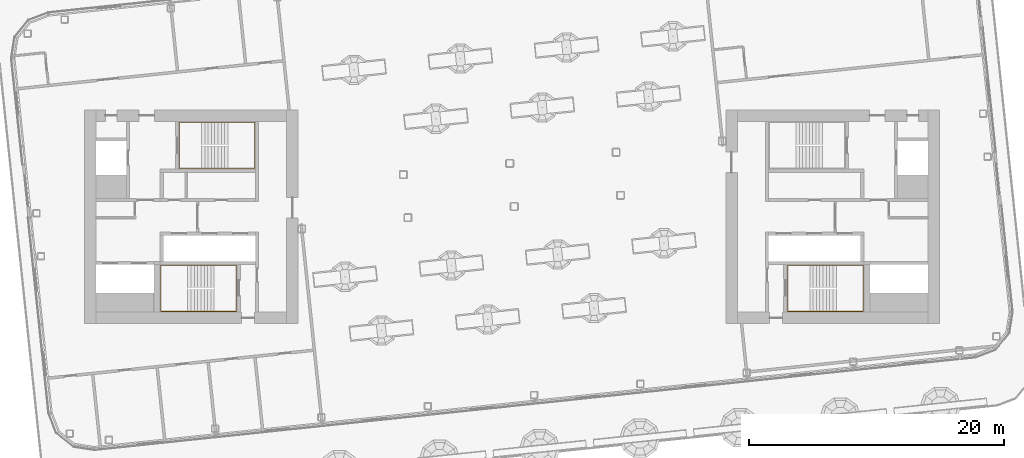
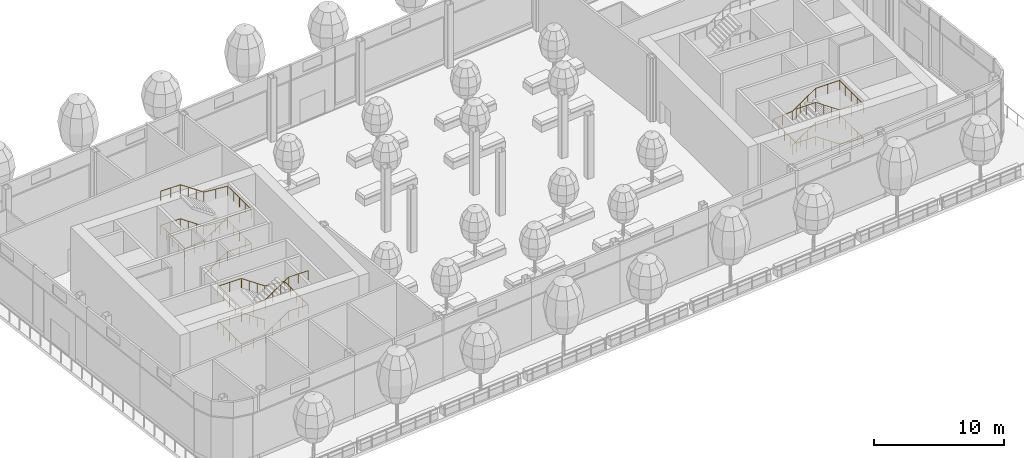
# One storey, part 32 of 42: 3 railings.
"""IFC4 building model written with IfcOpenShell, lengths in metres."""

from ifc_helpers import new_model, si_unit, direction, frame, origin, origin_2d, place, context, subcontext, project, spatial, circle, extrude, material, type_object, element, save


model = new_model("IFC4")

# Units and contexts
model_context = context("Model", 3, precision=1e-05, world=origin(), true_north=direction((0.0, 1.0)))
body_context = subcontext(model_context, "Body", "Model", "MODEL_VIEW")
ifc_project = project(units=[si_unit("LENGTHUNIT", "METRE"), si_unit("AREAUNIT", "SQUARE_METRE"), si_unit("VOLUMEUNIT", "CUBIC_METRE"), si_unit("PLANEANGLEUNIT", "RADIAN"), si_unit("MASSUNIT", "GRAM", prefix="KILO")], contexts=[model_context])

# Site, building, storey
site_placement = place(None, origin())
site = spatial("IfcSite", under=ifc_project, at=site_placement, CompositionType="ELEMENT")
building_placement = place(site_placement, origin())
building = spatial("IfcBuilding", under=site, at=building_placement, Name="Hakoniwa Tower and Hamabe Station Hall", CompositionType="ELEMENT")
storey_placement = place(building_placement, frame((0.0, 0.0, 232.60009765625)))
storey = spatial("IfcBuildingStorey", under=building, at=storey_placement, Name="L66", CompositionType="ELEMENT", Elevation=232.60009765625)

# Railings
ifc_material = material(Name="Stainless steel SUS304", Category="steel")
railing_type = type_object("IfcRailingType", Name="STAIR HANDRAIL 900", PredefinedType="HANDRAIL", material=ifc_material)
railing_1_placement = place(storey_placement, frame((-24.39990234375, 3.81005859375, 0.177734375)))
element("IfcRailing", 1, at=railing_1_placement, inside=storey, type_object=railing_type, Name="Handrail ST-1 L66 1", PredefinedType="HANDRAIL", context=body_context, shape_type="SweptSolid", body=[
    extrude(circle(Radius=0.02392578125, at=origin_2d()), frame((0.0, 0.0, 0.8759765625), z_axis=(0.825478349766, 0.0, 0.564433781827), x_axis=(0.0, 1.0, 0.0)), (0.0, 0.0, 1.0), 2.51953125),
    extrude(circle(Radius=0.02392578125, at=origin_2d()), frame((2.079833984375, 0.0, 2.2978515625), z_axis=(1.0, 0.0, 0.0), x_axis=(0.0, 1.0, 0.0)), (0.0, 0.0, 1.0), 2.110107421875),
    extrude(circle(Radius=0.02392578125, at=origin_2d()), frame((4.18994140625, 0.0, 2.2978515625), z_axis=(0.0, 1.0, 0.0), x_axis=(-1.0, 0.0, 0.0)), (0.0, 0.0, 1.0), 3.6298828125),
    extrude(circle(Radius=0.02392578125, at=origin_2d()), frame((4.18994140625, 3.6298828125, 2.2978515625), z_axis=(-0.996471417081, 0.0, 0.083932800143), x_axis=(0.0, -1.0, 0.0)), (0.0, 0.0, 1.0), 2.11767578125),
    extrude(circle(Radius=0.02392578125, at=origin_2d()), frame((2.079833984375, 3.6298828125, 2.4755859375), z_axis=(-0.825433201882, 0.0, 0.564499804456), x_axis=(0.0, -1.0, 0.0)), (0.0, 0.0, 1.0), 2.519775390625),
    extrude(circle(Radius=0.02392578125, at=origin_2d()), frame((0.0, 3.6298828125, 3.89794921875), z_axis=(-1.0, 0.0, 0.0), x_axis=(0.0, -1.0, 0.0)), (0.0, 0.0, 1.0), 1.739990234375),
    extrude(circle(Radius=0.02392578125, at=origin_2d()), frame((-1.739990234375, 3.6298828125, 3.89794921875), z_axis=(0.0, -1.0, 0.0), x_axis=(1.0, 0.0, 0.0)), (0.0, 0.0, 1.0), 3.6298828125),
    extrude(circle(Radius=0.02392578125, at=origin_2d()), frame((-1.739990234375, 0.0, 3.89794921875), z_axis=(0.994823492686, 0.0, 0.10161800234), x_axis=(0.0, 1.0, 0.0)), (0.0, 0.0, 1.0), 1.7490234375),
    extrude(circle(Radius=0.02392578125, at=origin_2d()), frame((0.0, 0.0, 4.07568359375), z_axis=(0.825478349766, 0.0, 0.564433781827), x_axis=(0.0, 1.0, 0.0)), (0.0, 0.0, 1.0), 2.51953125),
    extrude(circle(Radius=0.02392578125, at=origin_2d()), frame((2.079833984375, 0.0, 5.498046875), z_axis=(1.0, 0.0, 0.0), x_axis=(0.0, 1.0, 0.0)), (0.0, 0.0, 1.0), 2.110107421875),
    extrude(circle(Radius=0.02392578125, at=origin_2d()), frame((4.18994140625, 0.0, 5.498046875), z_axis=(0.0, 1.0, 0.0), x_axis=(-1.0, 0.0, 0.0)), (0.0, 0.0, 1.0), 3.6298828125),
    extrude(circle(Radius=0.02392578125, at=origin_2d()), frame((4.18994140625, 3.6298828125, 5.498046875), z_axis=(-0.996461767938, 0.0, 0.084047278587), x_axis=(0.0, -1.0, 0.0)), (0.0, 0.0, 1.0), 2.11767578125),
    extrude(circle(Radius=0.02392578125, at=origin_2d()), frame((2.079833984375, 3.6298828125, 5.67578125), z_axis=(-0.825478349766, 0.0, 0.564433781827), x_axis=(0.0, -1.0, 0.0)), (0.0, 0.0, 1.0), 2.51953125),
    extrude(circle(Radius=0.02392578125, at=origin_2d()), frame((0.0, 3.6298828125, 7.09814453125), z_axis=(-1.0, 0.0, 0.0), x_axis=(0.0, -1.0, 0.0)), (0.0, 0.0, 1.0), 1.739990234375),
    extrude(circle(Radius=0.02099609375, at=origin_2d()), origin(), (0.0, 0.0, 1.0), 0.851806640625),
    extrude(circle(Radius=0.02099609375, at=origin_2d()), frame((0.693359375, 0.0, 0.47412109375)), (0.0, 0.0, 1.0), 0.851806640625),
    extrude(circle(Radius=0.02099609375, at=origin_2d()), frame((1.386474609375, 0.0, 0.947998046875)), (0.0, 0.0, 1.0), 0.851806640625),
    extrude(circle(Radius=0.02099609375, at=origin_2d()), frame((2.079833984375, 0.0, 1.422119140625)), (0.0, 0.0, 1.0), 0.851806640625),
    extrude(circle(Radius=0.02099609375, at=origin_2d()), frame((3.134765625, 0.0, 1.422119140625)), (0.0, 0.0, 1.0), 0.851806640625),
    extrude(circle(Radius=0.02099609375, at=origin_2d()), frame((4.18994140625, 0.0, 1.422119140625)), (0.0, 0.0, 1.0), 0.851806640625),
    extrude(circle(Radius=0.02099609375, at=origin_2d()), frame((4.18994140625, 0.907470703125, 1.422119140625)), (0.0, 0.0, 1.0), 0.851806640625),
    extrude(circle(Radius=0.02099609375, at=origin_2d()), frame((4.18994140625, 1.81494140625, 1.422119140625)), (0.0, 0.0, 1.0), 0.851806640625),
    extrude(circle(Radius=0.02099609375, at=origin_2d()), frame((4.18994140625, 2.722412109375, 1.422119140625)), (0.0, 0.0, 1.0), 0.851806640625),
    extrude(circle(Radius=0.02099609375, at=origin_2d()), frame((4.18994140625, 3.6298828125, 1.422119140625)), (0.0, 0.0, 1.0), 0.851806640625),
    extrude(circle(Radius=0.02099609375, at=origin_2d()), frame((3.134765625, 3.6298828125, 1.510986328125)), (0.0, 0.0, 1.0), 0.851806640625),
    extrude(circle(Radius=0.02099609375, at=origin_2d()), frame((2.079833984375, 3.6298828125, 1.599853515625)), (0.0, 0.0, 1.0), 0.851806640625),
    extrude(circle(Radius=0.02099609375, at=origin_2d()), frame((1.386474609375, 3.6298828125, 2.073974609375)), (0.0, 0.0, 1.0), 0.851806640625),
    extrude(circle(Radius=0.02099609375, at=origin_2d()), frame((0.693359375, 3.6298828125, 2.548095703125)), (0.0, 0.0, 1.0), 0.851806640625),
    extrude(circle(Radius=0.02099609375, at=origin_2d()), frame((0.0, 3.6298828125, 3.022216796875)), (0.0, 0.0, 1.0), 0.851806640625),
    extrude(circle(Radius=0.02099609375, at=origin_2d()), frame((-0.8701171875, 3.6298828125, 3.022216796875)), (0.0, 0.0, 1.0), 0.851806640625),
    extrude(circle(Radius=0.02099609375, at=origin_2d()), frame((-1.739990234375, 3.6298828125, 3.022216796875)), (0.0, 0.0, 1.0), 0.851806640625),
    extrude(circle(Radius=0.02099609375, at=origin_2d()), frame((-1.739990234375, 2.722412109375, 3.022216796875)), (0.0, 0.0, 1.0), 0.851806640625),
    extrude(circle(Radius=0.02099609375, at=origin_2d()), frame((-1.739990234375, 1.81494140625, 3.022216796875)), (0.0, 0.0, 1.0), 0.851806640625),
    extrude(circle(Radius=0.02099609375, at=origin_2d()), frame((-1.739990234375, 0.907470703125, 3.022216796875)), (0.0, 0.0, 1.0), 0.851806640625),
    extrude(circle(Radius=0.02099609375, at=origin_2d()), frame((-1.739990234375, 0.0, 3.022216796875)), (0.0, 0.0, 1.0), 0.851806640625),
    extrude(circle(Radius=0.02099609375, at=origin_2d()), frame((-0.8701171875, 0.0, 3.111083984375)), (0.0, 0.0, 1.0), 0.851806640625),
    extrude(circle(Radius=0.02099609375, at=origin_2d()), frame((0.0, 0.0, 3.199951171875)), (0.0, 0.0, 1.0), 0.851806640625),
    extrude(circle(Radius=0.02099609375, at=origin_2d()), frame((0.693359375, 0.0, 3.674072265625)), (0.0, 0.0, 1.0), 0.851806640625),
    extrude(circle(Radius=0.02099609375, at=origin_2d()), frame((1.386474609375, 0.0, 4.14794921875)), (0.0, 0.0, 1.0), 0.851806640625),
    extrude(circle(Radius=0.02099609375, at=origin_2d()), frame((2.079833984375, 0.0, 4.6220703125)), (0.0, 0.0, 1.0), 0.851806640625),
    extrude(circle(Radius=0.02099609375, at=origin_2d()), frame((3.134765625, 0.0, 4.6220703125)), (0.0, 0.0, 1.0), 0.851806640625),
    extrude(circle(Radius=0.02099609375, at=origin_2d()), frame((4.18994140625, 0.0, 4.6220703125)), (0.0, 0.0, 1.0), 0.851806640625),
    extrude(circle(Radius=0.02099609375, at=origin_2d()), frame((4.18994140625, 0.907470703125, 4.6220703125)), (0.0, 0.0, 1.0), 0.851806640625),
    extrude(circle(Radius=0.02099609375, at=origin_2d()), frame((4.18994140625, 1.81494140625, 4.6220703125)), (0.0, 0.0, 1.0), 0.851806640625),
    extrude(circle(Radius=0.02099609375, at=origin_2d()), frame((4.18994140625, 2.722412109375, 4.6220703125)), (0.0, 0.0, 1.0), 0.851806640625),
    extrude(circle(Radius=0.02099609375, at=origin_2d()), frame((4.18994140625, 3.6298828125, 4.6220703125)), (0.0, 0.0, 1.0), 0.851806640625),
    extrude(circle(Radius=0.02099609375, at=origin_2d()), frame((3.134765625, 3.6298828125, 4.7109375)), (0.0, 0.0, 1.0), 0.851806640625),
    extrude(circle(Radius=0.02099609375, at=origin_2d()), frame((2.079833984375, 3.6298828125, 4.800048828125)), (0.0, 0.0, 1.0), 0.851806640625),
    extrude(circle(Radius=0.02099609375, at=origin_2d()), frame((1.386474609375, 3.6298828125, 5.274169921875)), (0.0, 0.0, 1.0), 0.851806640625),
    extrude(circle(Radius=0.02099609375, at=origin_2d()), frame((0.693359375, 3.6298828125, 5.748046875)), (0.0, 0.0, 1.0), 0.851806640625),
    extrude(circle(Radius=0.02099609375, at=origin_2d()), frame((0.0, 3.6298828125, 6.22216796875)), (0.0, 0.0, 1.0), 0.851806640625),
    extrude(circle(Radius=0.02099609375, at=origin_2d()), frame((-0.8701171875, 3.6298828125, 6.22216796875)), (0.0, 0.0, 1.0), 0.851806640625),
    extrude(circle(Radius=0.02099609375, at=origin_2d()), frame((-1.739990234375, 3.6298828125, 6.22216796875)), (0.0, 0.0, 1.0), 0.851806640625),
])
railing_2_placement = place(storey_placement, frame((-23.39990234375, -3.81005859375, 0.177734375)))
element("IfcRailing", 2, at=railing_2_placement, inside=storey, type_object=railing_type, Name="Handrail ST-2 L66 1", PredefinedType="HANDRAIL", context=body_context, shape_type="SweptSolid", body=[
    extrude(circle(Radius=0.02392578125, at=origin_2d()), frame((0.0, 0.0, 0.8759765625), z_axis=(-0.82550921652, 0.0, 0.564388636881), x_axis=(0.0, -1.0, 0.0)), (0.0, 0.0, 1.0), 2.519775390625),
    extrude(circle(Radius=0.02392578125, at=origin_2d()), frame((-2.080078125, 0.0, 2.2978515625), z_axis=(-1.0, 0.0, 0.0), x_axis=(0.0, -1.0, 0.0)), (0.0, 0.0, 1.0), 2.110107421875),
    extrude(circle(Radius=0.02392578125, at=origin_2d()), frame((-4.190185546875, 0.0, 2.2978515625), z_axis=(0.0, -1.0, 0.0), x_axis=(1.0, 0.0, 0.0)), (0.0, 0.0, 1.0), 3.6298828125),
    extrude(circle(Radius=0.02392578125, at=origin_2d()), frame((-4.190185546875, -3.6298828125, 2.2978515625), z_axis=(0.996471417081, 0.0, 0.083932800143), x_axis=(0.0, 1.0, 0.0)), (0.0, 0.0, 1.0), 2.11767578125),
    extrude(circle(Radius=0.02392578125, at=origin_2d()), frame((-2.080078125, -3.6298828125, 2.4755859375), z_axis=(0.825464074169, 0.0, 0.564454659168), x_axis=(0.0, 1.0, 0.0)), (0.0, 0.0, 1.0), 2.519775390625),
    extrude(circle(Radius=0.02392578125, at=origin_2d()), frame((0.0, -3.6298828125, 3.89794921875), z_axis=(1.0, 0.0, 0.0), x_axis=(0.0, 1.0, 0.0)), (0.0, 0.0, 1.0), 1.739990234375),
    extrude(circle(Radius=0.02392578125, at=origin_2d()), frame((1.739990234375, -3.6298828125, 3.89794921875), z_axis=(0.0, 1.0, 0.0), x_axis=(-1.0, 0.0, 0.0)), (0.0, 0.0, 1.0), 3.6298828125),
    extrude(circle(Radius=0.02392578125, at=origin_2d()), frame((1.739990234375, 0.0, 3.89794921875), z_axis=(-0.994823492686, 0.0, 0.10161800234), x_axis=(0.0, -1.0, 0.0)), (0.0, 0.0, 1.0), 1.7490234375),
    extrude(circle(Radius=0.02392578125, at=origin_2d()), frame((0.0, 0.0, 4.07568359375), z_axis=(-0.82550921652, 0.0, 0.564388636881), x_axis=(0.0, -1.0, 0.0)), (0.0, 0.0, 1.0), 2.519775390625),
    extrude(circle(Radius=0.02392578125, at=origin_2d()), frame((-2.080078125, 0.0, 5.498046875), z_axis=(-1.0, 0.0, 0.0), x_axis=(0.0, -1.0, 0.0)), (0.0, 0.0, 1.0), 2.110107421875),
    extrude(circle(Radius=0.02392578125, at=origin_2d()), frame((-4.190185546875, 0.0, 5.498046875), z_axis=(0.0, -1.0, 0.0), x_axis=(1.0, 0.0, 0.0)), (0.0, 0.0, 1.0), 3.6298828125),
    extrude(circle(Radius=0.02392578125, at=origin_2d()), frame((-4.190185546875, -3.6298828125, 5.498046875), z_axis=(0.996461767938, 0.0, 0.084047278587), x_axis=(0.0, 1.0, 0.0)), (0.0, 0.0, 1.0), 2.11767578125),
    extrude(circle(Radius=0.02392578125, at=origin_2d()), frame((-2.080078125, -3.6298828125, 5.67578125), z_axis=(0.82550921652, 0.0, 0.564388636881), x_axis=(0.0, 1.0, 0.0)), (0.0, 0.0, 1.0), 2.519775390625),
    extrude(circle(Radius=0.02392578125, at=origin_2d()), frame((0.0, -3.6298828125, 7.09814453125), z_axis=(1.0, 0.0, 0.0), x_axis=(0.0, 1.0, 0.0)), (0.0, 0.0, 1.0), 1.739990234375),
    extrude(circle(Radius=0.02099609375, at=origin_2d()), origin(), (0.0, 0.0, 1.0), 0.851806640625),
    extrude(circle(Radius=0.02099609375, at=origin_2d()), frame((-0.693359375, 0.0, 0.47412109375)), (0.0, 0.0, 1.0), 0.851806640625),
    extrude(circle(Radius=0.02099609375, at=origin_2d()), frame((-1.38671875, 0.0, 0.947998046875)), (0.0, 0.0, 1.0), 0.851806640625),
    extrude(circle(Radius=0.02099609375, at=origin_2d()), frame((-2.080078125, 0.0, 1.422119140625)), (0.0, 0.0, 1.0), 0.851806640625),
    extrude(circle(Radius=0.02099609375, at=origin_2d()), frame((-3.13525390625, 0.0, 1.422119140625)), (0.0, 0.0, 1.0), 0.851806640625),
    extrude(circle(Radius=0.02099609375, at=origin_2d()), frame((-4.190185546875, 0.0, 1.422119140625)), (0.0, 0.0, 1.0), 0.851806640625),
    extrude(circle(Radius=0.02099609375, at=origin_2d()), frame((-4.190185546875, -0.907470703125, 1.422119140625)), (0.0, 0.0, 1.0), 0.851806640625),
    extrude(circle(Radius=0.02099609375, at=origin_2d()), frame((-4.190185546875, -1.81494140625, 1.422119140625)), (0.0, 0.0, 1.0), 0.851806640625),
    extrude(circle(Radius=0.02099609375, at=origin_2d()), frame((-4.190185546875, -2.722412109375, 1.422119140625)), (0.0, 0.0, 1.0), 0.851806640625),
    extrude(circle(Radius=0.02099609375, at=origin_2d()), frame((-4.190185546875, -3.6298828125, 1.422119140625)), (0.0, 0.0, 1.0), 0.851806640625),
    extrude(circle(Radius=0.02099609375, at=origin_2d()), frame((-3.13525390625, -3.6298828125, 1.510986328125)), (0.0, 0.0, 1.0), 0.851806640625),
    extrude(circle(Radius=0.02099609375, at=origin_2d()), frame((-2.080078125, -3.6298828125, 1.599853515625)), (0.0, 0.0, 1.0), 0.851806640625),
    extrude(circle(Radius=0.02099609375, at=origin_2d()), frame((-1.38671875, -3.6298828125, 2.073974609375)), (0.0, 0.0, 1.0), 0.851806640625),
    extrude(circle(Radius=0.02099609375, at=origin_2d()), frame((-0.693359375, -3.6298828125, 2.548095703125)), (0.0, 0.0, 1.0), 0.851806640625),
    extrude(circle(Radius=0.02099609375, at=origin_2d()), frame((0.0, -3.6298828125, 3.022216796875)), (0.0, 0.0, 1.0), 0.851806640625),
    extrude(circle(Radius=0.02099609375, at=origin_2d()), frame((0.8701171875, -3.6298828125, 3.022216796875)), (0.0, 0.0, 1.0), 0.851806640625),
    extrude(circle(Radius=0.02099609375, at=origin_2d()), frame((1.739990234375, -3.6298828125, 3.022216796875)), (0.0, 0.0, 1.0), 0.851806640625),
    extrude(circle(Radius=0.02099609375, at=origin_2d()), frame((1.739990234375, -2.722412109375, 3.022216796875)), (0.0, 0.0, 1.0), 0.851806640625),
    extrude(circle(Radius=0.02099609375, at=origin_2d()), frame((1.739990234375, -1.81494140625, 3.022216796875)), (0.0, 0.0, 1.0), 0.851806640625),
    extrude(circle(Radius=0.02099609375, at=origin_2d()), frame((1.739990234375, -0.907470703125, 3.022216796875)), (0.0, 0.0, 1.0), 0.851806640625),
    extrude(circle(Radius=0.02099609375, at=origin_2d()), frame((1.739990234375, 0.0, 3.022216796875)), (0.0, 0.0, 1.0), 0.851806640625),
    extrude(circle(Radius=0.02099609375, at=origin_2d()), frame((0.8701171875, 0.0, 3.111083984375)), (0.0, 0.0, 1.0), 0.851806640625),
    extrude(circle(Radius=0.02099609375, at=origin_2d()), frame((0.0, 0.0, 3.199951171875)), (0.0, 0.0, 1.0), 0.851806640625),
    extrude(circle(Radius=0.02099609375, at=origin_2d()), frame((-0.693359375, 0.0, 3.674072265625)), (0.0, 0.0, 1.0), 0.851806640625),
    extrude(circle(Radius=0.02099609375, at=origin_2d()), frame((-1.38671875, 0.0, 4.14794921875)), (0.0, 0.0, 1.0), 0.851806640625),
    extrude(circle(Radius=0.02099609375, at=origin_2d()), frame((-2.080078125, 0.0, 4.6220703125)), (0.0, 0.0, 1.0), 0.851806640625),
    extrude(circle(Radius=0.02099609375, at=origin_2d()), frame((-3.13525390625, 0.0, 4.6220703125)), (0.0, 0.0, 1.0), 0.851806640625),
    extrude(circle(Radius=0.02099609375, at=origin_2d()), frame((-4.190185546875, 0.0, 4.6220703125)), (0.0, 0.0, 1.0), 0.851806640625),
    extrude(circle(Radius=0.02099609375, at=origin_2d()), frame((-4.190185546875, -0.907470703125, 4.6220703125)), (0.0, 0.0, 1.0), 0.851806640625),
    extrude(circle(Radius=0.02099609375, at=origin_2d()), frame((-4.190185546875, -1.81494140625, 4.6220703125)), (0.0, 0.0, 1.0), 0.851806640625),
    extrude(circle(Radius=0.02099609375, at=origin_2d()), frame((-4.190185546875, -2.722412109375, 4.6220703125)), (0.0, 0.0, 1.0), 0.851806640625),
    extrude(circle(Radius=0.02099609375, at=origin_2d()), frame((-4.190185546875, -3.6298828125, 4.6220703125)), (0.0, 0.0, 1.0), 0.851806640625),
    extrude(circle(Radius=0.02099609375, at=origin_2d()), frame((-3.13525390625, -3.6298828125, 4.7109375)), (0.0, 0.0, 1.0), 0.851806640625),
    extrude(circle(Radius=0.02099609375, at=origin_2d()), frame((-2.080078125, -3.6298828125, 4.800048828125)), (0.0, 0.0, 1.0), 0.851806640625),
    extrude(circle(Radius=0.02099609375, at=origin_2d()), frame((-1.38671875, -3.6298828125, 5.274169921875)), (0.0, 0.0, 1.0), 0.851806640625),
    extrude(circle(Radius=0.02099609375, at=origin_2d()), frame((-0.693359375, -3.6298828125, 5.748046875)), (0.0, 0.0, 1.0), 0.851806640625),
    extrude(circle(Radius=0.02099609375, at=origin_2d()), frame((0.0, -3.6298828125, 6.22216796875)), (0.0, 0.0, 1.0), 0.851806640625),
    extrude(circle(Radius=0.02099609375, at=origin_2d()), frame((0.8701171875, -3.6298828125, 6.22216796875)), (0.0, 0.0, 1.0), 0.851806640625),
    extrude(circle(Radius=0.02099609375, at=origin_2d()), frame((1.739990234375, -3.6298828125, 6.22216796875)), (0.0, 0.0, 1.0), 0.851806640625),
])
railing_3_placement = place(storey_placement, frame((23.39990234375, -3.81005859375, 0.177734375)))
element("IfcRailing", 3, at=railing_3_placement, inside=storey, type_object=railing_type, Name="Handrail ST-4 L66 1", PredefinedType="HANDRAIL", context=body_context, shape_type="SweptSolid", body=[
    extrude(circle(Radius=0.02392578125, at=origin_2d()), frame((0.0, 0.0, 0.8759765625), z_axis=(0.82550921652, 0.0, 0.564388636881), x_axis=(0.0, 1.0, 0.0)), (0.0, 0.0, 1.0), 2.519775390625),
    extrude(circle(Radius=0.02392578125, at=origin_2d()), frame((2.080078125, 0.0, 2.2978515625), z_axis=(1.0, 0.0, 0.0), x_axis=(0.0, 1.0, 0.0)), (0.0, 0.0, 1.0), 2.110107421875),
    extrude(circle(Radius=0.02392578125, at=origin_2d()), frame((4.190185546875, 0.0, 2.2978515625), z_axis=(0.0, -1.0, 0.0), x_axis=(1.0, 0.0, 0.0)), (0.0, 0.0, 1.0), 3.6298828125),
    extrude(circle(Radius=0.02392578125, at=origin_2d()), frame((4.190185546875, -3.6298828125, 2.2978515625), z_axis=(-0.996471417081, 0.0, 0.083932800143), x_axis=(0.0, -1.0, 0.0)), (0.0, 0.0, 1.0), 2.11767578125),
    extrude(circle(Radius=0.02392578125, at=origin_2d()), frame((2.080078125, -3.6298828125, 2.4755859375), z_axis=(-0.825464074169, 0.0, 0.564454659168), x_axis=(0.0, -1.0, 0.0)), (0.0, 0.0, 1.0), 2.519775390625),
    extrude(circle(Radius=0.02392578125, at=origin_2d()), frame((0.0, -3.6298828125, 3.89794921875), z_axis=(-1.0, 0.0, 0.0), x_axis=(0.0, -1.0, 0.0)), (0.0, 0.0, 1.0), 1.739990234375),
    extrude(circle(Radius=0.02392578125, at=origin_2d()), frame((-1.739990234375, -3.6298828125, 3.89794921875), z_axis=(0.0, 1.0, 0.0), x_axis=(-1.0, 0.0, 0.0)), (0.0, 0.0, 1.0), 3.6298828125),
    extrude(circle(Radius=0.02392578125, at=origin_2d()), frame((-1.739990234375, 0.0, 3.89794921875), z_axis=(0.994823492686, 0.0, 0.10161800234), x_axis=(0.0, 1.0, 0.0)), (0.0, 0.0, 1.0), 1.7490234375),
    extrude(circle(Radius=0.02392578125, at=origin_2d()), frame((0.0, 0.0, 4.07568359375), z_axis=(0.82550921652, 0.0, 0.564388636881), x_axis=(0.0, 1.0, 0.0)), (0.0, 0.0, 1.0), 2.519775390625),
    extrude(circle(Radius=0.02392578125, at=origin_2d()), frame((2.080078125, 0.0, 5.498046875), z_axis=(1.0, 0.0, 0.0), x_axis=(0.0, 1.0, 0.0)), (0.0, 0.0, 1.0), 2.110107421875),
    extrude(circle(Radius=0.02392578125, at=origin_2d()), frame((4.190185546875, 0.0, 5.498046875), z_axis=(0.0, -1.0, 0.0), x_axis=(1.0, 0.0, 0.0)), (0.0, 0.0, 1.0), 3.6298828125),
    extrude(circle(Radius=0.02392578125, at=origin_2d()), frame((4.190185546875, -3.6298828125, 5.498046875), z_axis=(-0.996461767938, 0.0, 0.084047278587), x_axis=(0.0, -1.0, 0.0)), (0.0, 0.0, 1.0), 2.11767578125),
    extrude(circle(Radius=0.02392578125, at=origin_2d()), frame((2.080078125, -3.6298828125, 5.67578125), z_axis=(-0.82550921652, 0.0, 0.564388636881), x_axis=(0.0, -1.0, 0.0)), (0.0, 0.0, 1.0), 2.519775390625),
    extrude(circle(Radius=0.02392578125, at=origin_2d()), frame((0.0, -3.6298828125, 7.09814453125), z_axis=(-1.0, 0.0, 0.0), x_axis=(0.0, -1.0, 0.0)), (0.0, 0.0, 1.0), 1.739990234375),
    extrude(circle(Radius=0.02099609375, at=origin_2d()), origin(), (0.0, 0.0, 1.0), 0.851806640625),
    extrude(circle(Radius=0.02099609375, at=origin_2d()), frame((0.693359375, 0.0, 0.47412109375)), (0.0, 0.0, 1.0), 0.851806640625),
    extrude(circle(Radius=0.02099609375, at=origin_2d()), frame((1.38671875, 0.0, 0.947998046875)), (0.0, 0.0, 1.0), 0.851806640625),
    extrude(circle(Radius=0.02099609375, at=origin_2d()), frame((2.080078125, 0.0, 1.422119140625)), (0.0, 0.0, 1.0), 0.851806640625),
    extrude(circle(Radius=0.02099609375, at=origin_2d()), frame((3.13525390625, 0.0, 1.422119140625)), (0.0, 0.0, 1.0), 0.851806640625),
    extrude(circle(Radius=0.02099609375, at=origin_2d()), frame((4.190185546875, 0.0, 1.422119140625)), (0.0, 0.0, 1.0), 0.851806640625),
    extrude(circle(Radius=0.02099609375, at=origin_2d()), frame((4.190185546875, -0.907470703125, 1.422119140625)), (0.0, 0.0, 1.0), 0.851806640625),
    extrude(circle(Radius=0.02099609375, at=origin_2d()), frame((4.190185546875, -1.81494140625, 1.422119140625)), (0.0, 0.0, 1.0), 0.851806640625),
    extrude(circle(Radius=0.02099609375, at=origin_2d()), frame((4.190185546875, -2.722412109375, 1.422119140625)), (0.0, 0.0, 1.0), 0.851806640625),
    extrude(circle(Radius=0.02099609375, at=origin_2d()), frame((4.190185546875, -3.6298828125, 1.422119140625)), (0.0, 0.0, 1.0), 0.851806640625),
    extrude(circle(Radius=0.02099609375, at=origin_2d()), frame((3.13525390625, -3.6298828125, 1.510986328125)), (0.0, 0.0, 1.0), 0.851806640625),
    extrude(circle(Radius=0.02099609375, at=origin_2d()), frame((2.080078125, -3.6298828125, 1.599853515625)), (0.0, 0.0, 1.0), 0.851806640625),
    extrude(circle(Radius=0.02099609375, at=origin_2d()), frame((1.38671875, -3.6298828125, 2.073974609375)), (0.0, 0.0, 1.0), 0.851806640625),
    extrude(circle(Radius=0.02099609375, at=origin_2d()), frame((0.693359375, -3.6298828125, 2.548095703125)), (0.0, 0.0, 1.0), 0.851806640625),
    extrude(circle(Radius=0.02099609375, at=origin_2d()), frame((0.0, -3.6298828125, 3.022216796875)), (0.0, 0.0, 1.0), 0.851806640625),
    extrude(circle(Radius=0.02099609375, at=origin_2d()), frame((-0.8701171875, -3.6298828125, 3.022216796875)), (0.0, 0.0, 1.0), 0.851806640625),
    extrude(circle(Radius=0.02099609375, at=origin_2d()), frame((-1.739990234375, -3.6298828125, 3.022216796875)), (0.0, 0.0, 1.0), 0.851806640625),
    extrude(circle(Radius=0.02099609375, at=origin_2d()), frame((-1.739990234375, -2.722412109375, 3.022216796875)), (0.0, 0.0, 1.0), 0.851806640625),
    extrude(circle(Radius=0.02099609375, at=origin_2d()), frame((-1.739990234375, -1.81494140625, 3.022216796875)), (0.0, 0.0, 1.0), 0.851806640625),
    extrude(circle(Radius=0.02099609375, at=origin_2d()), frame((-1.739990234375, -0.907470703125, 3.022216796875)), (0.0, 0.0, 1.0), 0.851806640625),
    extrude(circle(Radius=0.02099609375, at=origin_2d()), frame((-1.739990234375, 0.0, 3.022216796875)), (0.0, 0.0, 1.0), 0.851806640625),
    extrude(circle(Radius=0.02099609375, at=origin_2d()), frame((-0.8701171875, 0.0, 3.111083984375)), (0.0, 0.0, 1.0), 0.851806640625),
    extrude(circle(Radius=0.02099609375, at=origin_2d()), frame((0.0, 0.0, 3.199951171875)), (0.0, 0.0, 1.0), 0.851806640625),
    extrude(circle(Radius=0.02099609375, at=origin_2d()), frame((0.693359375, 0.0, 3.674072265625)), (0.0, 0.0, 1.0), 0.851806640625),
    extrude(circle(Radius=0.02099609375, at=origin_2d()), frame((1.38671875, 0.0, 4.14794921875)), (0.0, 0.0, 1.0), 0.851806640625),
    extrude(circle(Radius=0.02099609375, at=origin_2d()), frame((2.080078125, 0.0, 4.6220703125)), (0.0, 0.0, 1.0), 0.851806640625),
    extrude(circle(Radius=0.02099609375, at=origin_2d()), frame((3.13525390625, 0.0, 4.6220703125)), (0.0, 0.0, 1.0), 0.851806640625),
    extrude(circle(Radius=0.02099609375, at=origin_2d()), frame((4.190185546875, 0.0, 4.6220703125)), (0.0, 0.0, 1.0), 0.851806640625),
    extrude(circle(Radius=0.02099609375, at=origin_2d()), frame((4.190185546875, -0.907470703125, 4.6220703125)), (0.0, 0.0, 1.0), 0.851806640625),
    extrude(circle(Radius=0.02099609375, at=origin_2d()), frame((4.190185546875, -1.81494140625, 4.6220703125)), (0.0, 0.0, 1.0), 0.851806640625),
    extrude(circle(Radius=0.02099609375, at=origin_2d()), frame((4.190185546875, -2.722412109375, 4.6220703125)), (0.0, 0.0, 1.0), 0.851806640625),
    extrude(circle(Radius=0.02099609375, at=origin_2d()), frame((4.190185546875, -3.6298828125, 4.6220703125)), (0.0, 0.0, 1.0), 0.851806640625),
    extrude(circle(Radius=0.02099609375, at=origin_2d()), frame((3.13525390625, -3.6298828125, 4.7109375)), (0.0, 0.0, 1.0), 0.851806640625),
    extrude(circle(Radius=0.02099609375, at=origin_2d()), frame((2.080078125, -3.6298828125, 4.800048828125)), (0.0, 0.0, 1.0), 0.851806640625),
    extrude(circle(Radius=0.02099609375, at=origin_2d()), frame((1.38671875, -3.6298828125, 5.274169921875)), (0.0, 0.0, 1.0), 0.851806640625),
    extrude(circle(Radius=0.02099609375, at=origin_2d()), frame((0.693359375, -3.6298828125, 5.748046875)), (0.0, 0.0, 1.0), 0.851806640625),
    extrude(circle(Radius=0.02099609375, at=origin_2d()), frame((0.0, -3.6298828125, 6.22216796875)), (0.0, 0.0, 1.0), 0.851806640625),
    extrude(circle(Radius=0.02099609375, at=origin_2d()), frame((-0.8701171875, -3.6298828125, 6.22216796875)), (0.0, 0.0, 1.0), 0.851806640625),
    extrude(circle(Radius=0.02099609375, at=origin_2d()), frame((-1.739990234375, -3.6298828125, 6.22216796875)), (0.0, 0.0, 1.0), 0.851806640625),
])

save(model, "model.ifc")
